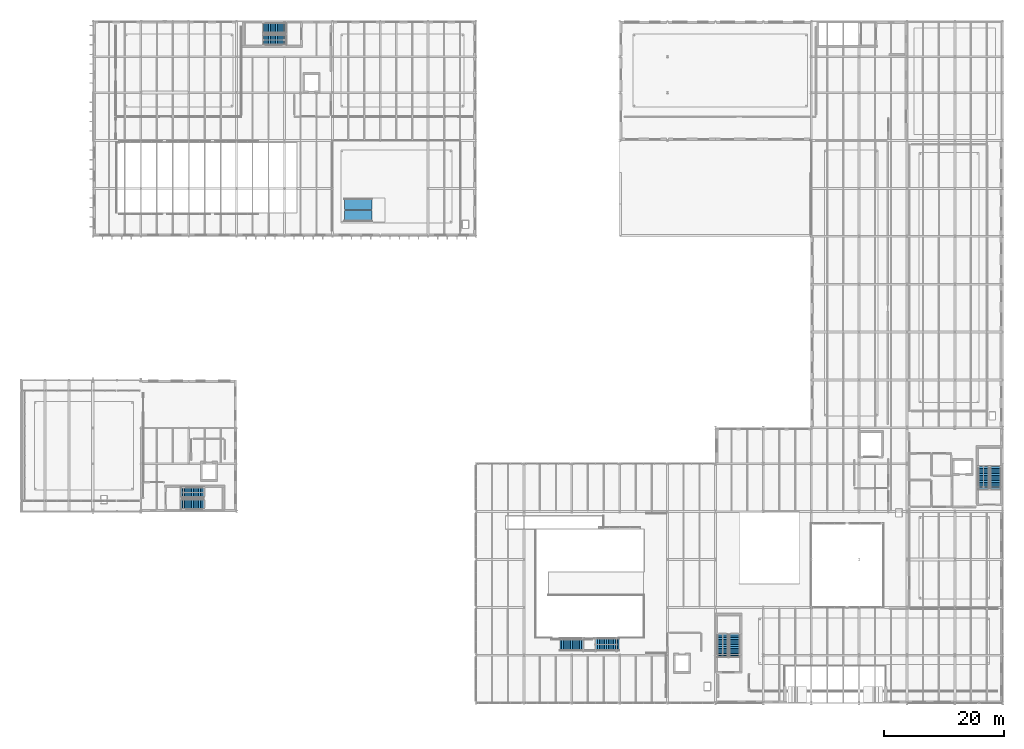
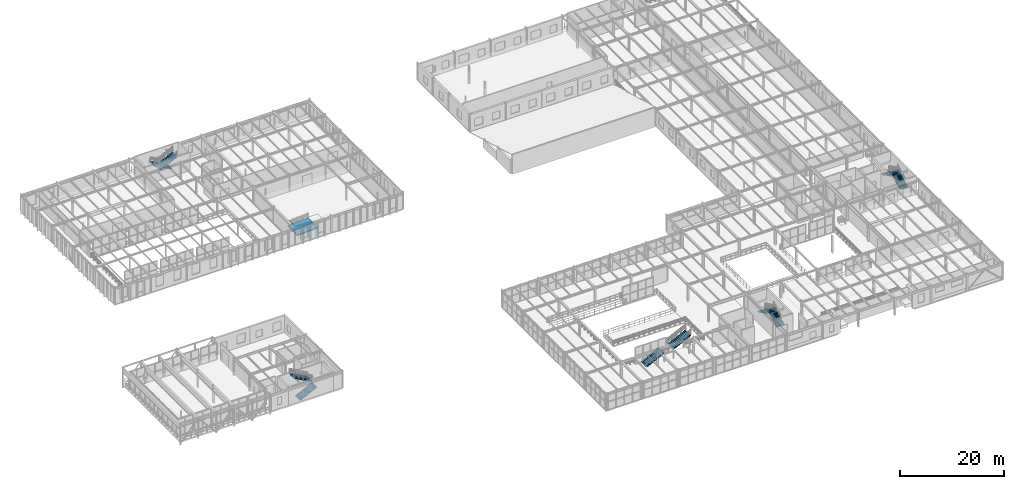
# One storey, part 90 of 124: 10 stair flights, 2 ramp flights, 6 elements without a shape of their own.
"""IFC4 building model written with IfcOpenShell, lengths in metres."""

from ifc_helpers import new_model, si_unit, direction, frame, origin, place, context, subcontext, project, spatial, polyline, outline, extrude, material, layer, layer_set, type_object, element, aggregate, save


model = new_model("IFC4")

# Units and contexts
model_context = context("Model", 3, precision=1e-05, world=origin(), true_north=direction((0.0, 1.0)))
body_context = subcontext(model_context, "Body", "Model", "MODEL_VIEW")
ifc_project = project(units=[si_unit("LENGTHUNIT", "METRE"), si_unit("AREAUNIT", "SQUARE_METRE"), si_unit("VOLUMEUNIT", "CUBIC_METRE"), si_unit("PLANEANGLEUNIT", "RADIAN"), si_unit("MASSUNIT", "GRAM", prefix="KILO")], contexts=[model_context])

# Site, building, storey
site_placement = place(None, origin())
site = spatial("IfcSite", under=ifc_project, at=site_placement, CompositionType="ELEMENT")
building_placement = place(site_placement, origin())
building = spatial("IfcBuilding", under=site, at=building_placement, Name="Sundkrona Museum", CompositionType="ELEMENT")
storey_placement = place(building_placement, frame((0.0, 0.0, 17.60009765625)))
storey = spatial("IfcBuildingStorey", under=building, at=storey_placement, Name="L03", CompositionType="ELEMENT", Elevation=17.60009765625)

# Stair, stair flights
ifc_material_1 = material(Name="Concrete C35/45", Category="concrete")
stair_type_1 = type_object("IfcStairType", Name="ST-DL-420", PredefinedType="HALF_TURN_STAIR", material=ifc_material_1)
stair_1_placement = place(storey_placement, origin())
stair_1 = element("IfcStair", 1, at=stair_1_placement, inside=storey, type_object=stair_type_1, Name="L03 Protected Stair Core ST-1", PredefinedType="HALF_TURN_STAIR")
stair_flight_type_1 = type_object("IfcStairFlightType", Name="SF-180-210", PredefinedType="STRAIGHT", material=ifc_material_1)
stair_flight_1_placement = place(storey_placement, frame((166.800048828125, 35.699951171875, 0.0), z_axis=(0.0, 0.0, 1.0), x_axis=(0.0, 1.0, 0.0)))
stair_flight_1 = element("IfcStairFlight", 2, at=stair_flight_1_placement, type_object=stair_flight_type_1, Name="L03 Protected Stair Core ST-1 Flight 1", NumberOfRisers=14, NumberOfTreads=13, PredefinedType="STRAIGHT", RiserHeight=0.15, TreadLength=0.295, context=body_context, shape_type="SweptSolid", body=[
    extrude(outline(polyline([(0.0, 0.0), (0.0, 0.14990234375), (0.294921875, 0.14990234375), (0.294921875, 0.300048828125), (0.590087890625, 0.300048828125), (0.590087890625, 0.449951171875), (0.885009765625, 0.449951171875), (0.885009765625, 0.60009765625), (1.179931640625, 0.60009765625), (1.179931640625, 0.75), (1.47509765625, 0.75), (1.47509765625, 0.89990234375), (1.77001953125, 0.89990234375), (1.77001953125, 1.050048828125), (2.06494140625, 1.050048828125), (2.06494140625, 1.199951171875), (2.360107421875, 1.199951171875), (2.360107421875, 1.35009765625), (2.655029296875, 1.35009765625), (2.655029296875, 1.5), (2.949951171875, 1.5), (2.949951171875, 1.64990234375), (3.2451171875, 1.64990234375), (3.2451171875, 1.800048828125), (3.5400390625, 1.800048828125), (3.5400390625, 1.949951171875), (3.8349609375, 1.949951171875), (3.8349609375, 2.10009765625), (3.8349609375, 1.7705078125), (0.352783203125, 0.0), (0.0, 0.0)])), frame((0.0, 0.89990234375, 0.0), z_axis=(0.0, -1.0, 0.0), x_axis=(1.0, 0.0, 0.0)), (0.0, 0.0, 1.0), 1.800048828125),
])
stair_flight_2_placement = place(storey_placement, frame((164.800048828125, 39.534912109375, 2.099853515625), z_axis=(0.0, 0.0, 1.0), x_axis=(0.0, -1.0, 0.0)))
stair_flight_2 = element("IfcStairFlight", 3, at=stair_flight_2_placement, type_object=stair_flight_type_1, Name="L03 Protected Stair Core ST-1 Flight 2", NumberOfRisers=14, NumberOfTreads=13, PredefinedType="STRAIGHT", RiserHeight=0.15, TreadLength=0.295, context=body_context, shape_type="SweptSolid", body=[
    extrude(outline(polyline([(0.0, 0.0), (0.0, 0.14990234375), (0.294921875, 0.14990234375), (0.294921875, 0.300048828125), (0.590087890625, 0.300048828125), (0.590087890625, 0.449951171875), (0.885009765625, 0.449951171875), (0.885009765625, 0.60009765625), (1.179931640625, 0.60009765625), (1.179931640625, 0.75), (1.47509765625, 0.75), (1.47509765625, 0.89990234375), (1.77001953125, 0.89990234375), (1.77001953125, 1.050048828125), (2.06494140625, 1.050048828125), (2.06494140625, 1.199951171875), (2.360107421875, 1.199951171875), (2.360107421875, 1.35009765625), (2.655029296875, 1.35009765625), (2.655029296875, 1.5), (2.949951171875, 1.5), (2.949951171875, 1.64990234375), (3.2451171875, 1.64990234375), (3.2451171875, 1.800048828125), (3.5400390625, 1.800048828125), (3.5400390625, 1.949951171875), (3.8349609375, 1.949951171875), (3.8349609375, 2.10009765625), (3.8349609375, 1.7705078125), (0.352783203125, 0.0), (0.0, 0.0)])), frame((0.0, 0.89990234375, 0.0), z_axis=(0.0, -1.0, 0.0), x_axis=(1.0, 0.0, 0.0)), (0.0, 0.0, 1.0), 1.800048828125),
])
aggregate(stair_1, [stair_flight_1, stair_flight_2])

stair_2_placement = place(storey_placement, origin())
stair_2 = element("IfcStair", 4, at=stair_2_placement, inside=storey, type_object=stair_type_1, Name="L03 Protected Stair Core ST-2", PredefinedType="HALF_TURN_STAIR")
stair_flight_3_placement = place(storey_placement, frame((123.199951171875, 7.699951171875, 0.0), z_axis=(0.0, 0.0, 1.0), x_axis=(0.0, 1.0, 0.0)))
stair_flight_3 = element("IfcStairFlight", 5, at=stair_flight_3_placement, type_object=stair_flight_type_1, Name="L03 Protected Stair Core ST-2 Flight 1", NumberOfRisers=14, NumberOfTreads=13, PredefinedType="STRAIGHT", RiserHeight=0.15, TreadLength=0.295, context=body_context, shape_type="SweptSolid", body=[
    extrude(outline(polyline([(0.0, 0.0), (0.0, 0.14990234375), (0.294921875, 0.14990234375), (0.294921875, 0.300048828125), (0.590087890625, 0.300048828125), (0.590087890625, 0.449951171875), (0.885009765625, 0.449951171875), (0.885009765625, 0.60009765625), (1.179931640625, 0.60009765625), (1.179931640625, 0.75), (1.47509765625, 0.75), (1.47509765625, 0.89990234375), (1.77001953125, 0.89990234375), (1.77001953125, 1.050048828125), (2.06494140625, 1.050048828125), (2.06494140625, 1.199951171875), (2.360107421875, 1.199951171875), (2.360107421875, 1.35009765625), (2.655029296875, 1.35009765625), (2.655029296875, 1.5), (2.949951171875, 1.5), (2.949951171875, 1.64990234375), (3.2451171875, 1.64990234375), (3.2451171875, 1.800048828125), (3.5400390625, 1.800048828125), (3.5400390625, 1.949951171875), (3.8349609375, 1.949951171875), (3.8349609375, 2.10009765625), (3.8349609375, 1.7705078125), (0.352783203125, 0.0), (0.0, 0.0)])), frame((0.0, 0.89990234375, 0.0), z_axis=(0.0, -1.0, 0.0), x_axis=(1.0, 0.0, 0.0)), (0.0, 0.0, 1.0), 1.800048828125),
])
stair_flight_4_placement = place(storey_placement, frame((121.199951171875, 11.534912109375, 2.099853515625), z_axis=(0.0, 0.0, 1.0), x_axis=(0.0, -1.0, 0.0)))
stair_flight_4 = element("IfcStairFlight", 6, at=stair_flight_4_placement, type_object=stair_flight_type_1, Name="L03 Protected Stair Core ST-2 Flight 2", NumberOfRisers=14, NumberOfTreads=13, PredefinedType="STRAIGHT", RiserHeight=0.15, TreadLength=0.295, context=body_context, shape_type="SweptSolid", body=[
    extrude(outline(polyline([(0.0, 0.0), (0.0, 0.14990234375), (0.294921875, 0.14990234375), (0.294921875, 0.300048828125), (0.590087890625, 0.300048828125), (0.590087890625, 0.449951171875), (0.885009765625, 0.449951171875), (0.885009765625, 0.60009765625), (1.179931640625, 0.60009765625), (1.179931640625, 0.75), (1.47509765625, 0.75), (1.47509765625, 0.89990234375), (1.77001953125, 0.89990234375), (1.77001953125, 1.050048828125), (2.06494140625, 1.050048828125), (2.06494140625, 1.199951171875), (2.360107421875, 1.199951171875), (2.360107421875, 1.35009765625), (2.655029296875, 1.35009765625), (2.655029296875, 1.5), (2.949951171875, 1.5), (2.949951171875, 1.64990234375), (3.2451171875, 1.64990234375), (3.2451171875, 1.800048828125), (3.5400390625, 1.800048828125), (3.5400390625, 1.949951171875), (3.8349609375, 1.949951171875), (3.8349609375, 2.10009765625), (3.8349609375, 1.7705078125), (0.352783203125, 0.0), (0.0, 0.0)])), frame((0.0, 0.89990234375, 0.0), z_axis=(0.0, -1.0, 0.0), x_axis=(1.0, 0.0, 0.0)), (0.0, 0.0, 1.0), 1.800048828125),
])
aggregate(stair_2, [stair_flight_3, stair_flight_4])

stair_3_placement = place(storey_placement, origin())
stair_3 = element("IfcStair", 7, at=stair_3_placement, inside=storey, type_object=stair_type_1, Name="L03 Protected Stair Core ST-3", PredefinedType="HALF_TURN_STAIR")
stair_flight_5_placement = place(storey_placement, frame((48.300048828125, 112.800048828125, 0.0), z_axis=(0.0, 0.0, 1.0), x_axis=(-1.0, 0.0, 0.0)))
stair_flight_5 = element("IfcStairFlight", 8, at=stair_flight_5_placement, type_object=stair_flight_type_1, Name="L03 Protected Stair Core ST-3 Flight 1", NumberOfRisers=14, NumberOfTreads=13, PredefinedType="STRAIGHT", RiserHeight=0.15, TreadLength=0.295, context=body_context, shape_type="SweptSolid", body=[
    extrude(outline(polyline([(0.0, 0.0), (0.0, 0.14990234375), (0.294921875, 0.14990234375), (0.294921875, 0.300048828125), (0.590087890625, 0.300048828125), (0.590087890625, 0.449951171875), (0.885009765625, 0.449951171875), (0.885009765625, 0.60009765625), (1.179931640625, 0.60009765625), (1.179931640625, 0.75), (1.47509765625, 0.75), (1.47509765625, 0.89990234375), (1.77001953125, 0.89990234375), (1.77001953125, 1.050048828125), (2.06494140625, 1.050048828125), (2.06494140625, 1.199951171875), (2.360107421875, 1.199951171875), (2.360107421875, 1.35009765625), (2.655029296875, 1.35009765625), (2.655029296875, 1.5), (2.949951171875, 1.5), (2.949951171875, 1.64990234375), (3.2451171875, 1.64990234375), (3.2451171875, 1.800048828125), (3.5400390625, 1.800048828125), (3.5400390625, 1.949951171875), (3.8349609375, 1.949951171875), (3.8349609375, 2.10009765625), (3.8349609375, 1.7705078125), (0.352783203125, 0.0), (0.0, 0.0)])), frame((0.0, 0.89990234375, 0.0), z_axis=(0.0, -1.0, 0.0), x_axis=(1.0, 0.0, 0.0)), (0.0, 0.0, 1.0), 1.800048828125),
])
stair_flight_6_placement = place(storey_placement, frame((44.465087890625, 110.800048828125, 2.099853515625), z_axis=(0.0, 0.0, 1.0), x_axis=(1.0, 0.0, 0.0)))
stair_flight_6 = element("IfcStairFlight", 9, at=stair_flight_6_placement, type_object=stair_flight_type_1, Name="L03 Protected Stair Core ST-3 Flight 2", NumberOfRisers=14, NumberOfTreads=13, PredefinedType="STRAIGHT", RiserHeight=0.15, TreadLength=0.295, context=body_context, shape_type="SweptSolid", body=[
    extrude(outline(polyline([(0.0, 0.0), (0.0, 0.14990234375), (0.294921875, 0.14990234375), (0.294921875, 0.300048828125), (0.590087890625, 0.300048828125), (0.590087890625, 0.449951171875), (0.885009765625, 0.449951171875), (0.885009765625, 0.60009765625), (1.179931640625, 0.60009765625), (1.179931640625, 0.75), (1.47509765625, 0.75), (1.47509765625, 0.89990234375), (1.77001953125, 0.89990234375), (1.77001953125, 1.050048828125), (2.06494140625, 1.050048828125), (2.06494140625, 1.199951171875), (2.360107421875, 1.199951171875), (2.360107421875, 1.35009765625), (2.655029296875, 1.35009765625), (2.655029296875, 1.5), (2.949951171875, 1.5), (2.949951171875, 1.64990234375), (3.2451171875, 1.64990234375), (3.2451171875, 1.800048828125), (3.5400390625, 1.800048828125), (3.5400390625, 1.949951171875), (3.8349609375, 1.949951171875), (3.8349609375, 2.10009765625), (3.8349609375, 1.7705078125), (0.352783203125, 0.0), (0.0, 0.0)])), frame((0.0, 0.89990234375, 0.0), z_axis=(0.0, -1.0, 0.0), x_axis=(1.0, 0.0, 0.0)), (0.0, 0.0, 1.0), 1.800048828125),
])
aggregate(stair_3, [stair_flight_5, stair_flight_6])

stair_4_placement = place(storey_placement, origin())
stair_4 = element("IfcStair", 10, at=stair_4_placement, inside=storey, type_object=stair_type_1, Name="L03 Protected Stair Core ST-4", PredefinedType="HALF_TURN_STAIR")
stair_flight_7_placement = place(storey_placement, frame((30.699951171875, 33.199951171875, 0.0), z_axis=(0.0, 0.0, 1.0), x_axis=(1.0, 0.0, 0.0)))
stair_flight_7 = element("IfcStairFlight", 11, at=stair_flight_7_placement, type_object=stair_flight_type_1, Name="L03 Protected Stair Core ST-4 Flight 1", NumberOfRisers=14, NumberOfTreads=13, PredefinedType="STRAIGHT", RiserHeight=0.15, TreadLength=0.295, context=body_context, shape_type="SweptSolid", body=[
    extrude(outline(polyline([(0.0, 0.0), (0.0, 0.14990234375), (0.294921875, 0.14990234375), (0.294921875, 0.300048828125), (0.590087890625, 0.300048828125), (0.590087890625, 0.449951171875), (0.885009765625, 0.449951171875), (0.885009765625, 0.60009765625), (1.179931640625, 0.60009765625), (1.179931640625, 0.75), (1.47509765625, 0.75), (1.47509765625, 0.89990234375), (1.77001953125, 0.89990234375), (1.77001953125, 1.050048828125), (2.06494140625, 1.050048828125), (2.06494140625, 1.199951171875), (2.360107421875, 1.199951171875), (2.360107421875, 1.35009765625), (2.655029296875, 1.35009765625), (2.655029296875, 1.5), (2.949951171875, 1.5), (2.949951171875, 1.64990234375), (3.2451171875, 1.64990234375), (3.2451171875, 1.800048828125), (3.5400390625, 1.800048828125), (3.5400390625, 1.949951171875), (3.8349609375, 1.949951171875), (3.8349609375, 2.10009765625), (3.8349609375, 1.7705078125), (0.352783203125, 0.0), (0.0, 0.0)])), frame((0.0, 0.89990234375, 0.0), z_axis=(0.0, -1.0, 0.0), x_axis=(1.0, 0.0, 0.0)), (0.0, 0.0, 1.0), 1.800048828125),
])
stair_flight_8_placement = place(storey_placement, frame((34.534912109375, 35.199951171875, 2.099853515625), z_axis=(0.0, 0.0, 1.0), x_axis=(-1.0, 0.0, 0.0)))
stair_flight_8 = element("IfcStairFlight", 12, at=stair_flight_8_placement, type_object=stair_flight_type_1, Name="L03 Protected Stair Core ST-4 Flight 2", NumberOfRisers=14, NumberOfTreads=13, PredefinedType="STRAIGHT", RiserHeight=0.15, TreadLength=0.295, context=body_context, shape_type="SweptSolid", body=[
    extrude(outline(polyline([(0.0, 0.0), (0.0, 0.14990234375), (0.294921875, 0.14990234375), (0.294921875, 0.300048828125), (0.590087890625, 0.300048828125), (0.590087890625, 0.449951171875), (0.885009765625, 0.449951171875), (0.885009765625, 0.60009765625), (1.179931640625, 0.60009765625), (1.179931640625, 0.75), (1.47509765625, 0.75), (1.47509765625, 0.89990234375), (1.77001953125, 0.89990234375), (1.77001953125, 1.050048828125), (2.06494140625, 1.050048828125), (2.06494140625, 1.199951171875), (2.360107421875, 1.199951171875), (2.360107421875, 1.35009765625), (2.655029296875, 1.35009765625), (2.655029296875, 1.5), (2.949951171875, 1.5), (2.949951171875, 1.64990234375), (3.2451171875, 1.64990234375), (3.2451171875, 1.800048828125), (3.5400390625, 1.800048828125), (3.5400390625, 1.949951171875), (3.8349609375, 1.949951171875), (3.8349609375, 2.10009765625), (3.8349609375, 1.7705078125), (0.352783203125, 0.0), (0.0, 0.0)])), frame((0.0, 0.89990234375, 0.0), z_axis=(0.0, -1.0, 0.0), x_axis=(1.0, 0.0, 0.0)), (0.0, 0.0, 1.0), 1.800048828125),
])
aggregate(stair_4, [stair_flight_7, stair_flight_8])

ifc_material_2 = material(Name="Steel S355J2 and Terrazzo Treads", Category="steel")
stair_type_2 = type_object("IfcStairType", Name="ST-FS-420", PredefinedType="STRAIGHT_RUN_STAIR", material=ifc_material_2)
stair_5_placement = place(storey_placement, origin())
stair_5 = element("IfcStair", 13, at=stair_5_placement, inside=storey, type_object=stair_type_2, Name="L03 Feature Stair FS-4", PredefinedType="STRAIGHT_RUN_STAIR")
ifc_material_3 = material(Name="Steel S355J2 and Terrazzo", Category="steel")
stair_flight_type_2 = type_object("IfcStairFlightType", Name="SF-210-FS", PredefinedType="STRAIGHT", material=ifc_material_3)
stair_flight_9_placement = place(storey_placement, frame((94.0, 9.800048828125, 0.0), z_axis=(0.0, 0.0, 1.0), x_axis=(1.0, 0.0, 0.0)))
stair_flight_9 = element("IfcStairFlight", 14, at=stair_flight_9_placement, type_object=stair_flight_type_2, Name="L03 Feature Stair FS-4 Flight 1", NumberOfRisers=14, NumberOfTreads=13, PredefinedType="STRAIGHT", RiserHeight=0.15, TreadLength=0.3, context=body_context, shape_type="SweptSolid", body=[
    extrude(outline(polyline([(0.0, 0.0), (0.0, 0.14990234375), (0.300048828125, 0.14990234375), (0.300048828125, 0.300048828125), (0.60009765625, 0.300048828125), (0.60009765625, 0.449951171875), (0.89990234375, 0.449951171875), (0.89990234375, 0.60009765625), (1.199951171875, 0.60009765625), (1.199951171875, 0.75), (1.5, 0.75), (1.5, 0.89990234375), (1.800048828125, 0.89990234375), (1.800048828125, 1.050048828125), (2.10009765625, 1.050048828125), (2.10009765625, 1.199951171875), (2.39990234375, 1.199951171875), (2.39990234375, 1.35009765625), (2.699951171875, 1.35009765625), (2.699951171875, 1.5), (3.0, 1.5), (3.0, 1.64990234375), (3.300048828125, 1.64990234375), (3.300048828125, 1.800048828125), (3.60009765625, 1.800048828125), (3.60009765625, 1.949951171875), (3.89990234375, 1.949951171875), (3.89990234375, 2.10009765625), (3.89990234375, 1.748779296875), (0.40234375, 0.0), (0.0, 0.0)])), frame((0.0, 1.050048828125, 0.0), z_axis=(0.0, -1.0, 0.0), x_axis=(1.0, 0.0, 0.0)), (0.0, 0.0, 1.0), 2.10009765625),
])
stair_flight_10_placement = place(storey_placement, frame((100.0, 9.800048828125, 2.099853515625), z_axis=(0.0, 0.0, 1.0), x_axis=(1.0, 0.0, 0.0)))
stair_flight_10 = element("IfcStairFlight", 15, at=stair_flight_10_placement, type_object=stair_flight_type_2, Name="L03 Feature Stair FS-4 Flight 2", NumberOfRisers=14, NumberOfTreads=13, PredefinedType="STRAIGHT", RiserHeight=0.15, TreadLength=0.3, context=body_context, shape_type="SweptSolid", body=[
    extrude(outline(polyline([(0.0, 0.0), (0.0, 0.14990234375), (0.300048828125, 0.14990234375), (0.300048828125, 0.300048828125), (0.60009765625, 0.300048828125), (0.60009765625, 0.449951171875), (0.89990234375, 0.449951171875), (0.89990234375, 0.60009765625), (1.199951171875, 0.60009765625), (1.199951171875, 0.75), (1.5, 0.75), (1.5, 0.89990234375), (1.800048828125, 0.89990234375), (1.800048828125, 1.050048828125), (2.10009765625, 1.050048828125), (2.10009765625, 1.199951171875), (2.39990234375, 1.199951171875), (2.39990234375, 1.35009765625), (2.699951171875, 1.35009765625), (2.699951171875, 1.5), (3.0, 1.5), (3.0, 1.64990234375), (3.300048828125, 1.64990234375), (3.300048828125, 1.800048828125), (3.60009765625, 1.800048828125), (3.60009765625, 1.949951171875), (3.89990234375, 1.949951171875), (3.89990234375, 2.10009765625), (3.89990234375, 1.748779296875), (0.40234375, 0.0), (0.0, 0.0)])), frame((0.0, 1.050048828125, 0.0), z_axis=(0.0, -1.0, 0.0), x_axis=(1.0, 0.0, 0.0)), (0.0, 0.0, 1.0), 2.10009765625),
])
aggregate(stair_5, [stair_flight_9, stair_flight_10])

# Ramp, ramp flights
ramp_type = type_object("IfcRampType", Name="RMP-ACC-180", PredefinedType="HALF_TURN_RAMP", material=ifc_material_1)
ramp_placement = place(storey_placement, origin())
ramp = element("IfcRamp", 16, at=ramp_placement, inside=storey, type_object=ramp_type, Name="L03 Accessible Gallery Dais Ramp RMP-06", PredefinedType="HALF_TURN_RAMP")
ifc_layer = layer(ifc_material_1, 0.199951171875)
ifc_layer_set = layer_set([ifc_layer], Name="Concrete C35/45")
ramp_flight_type = type_object("IfcRampFlightType", Name="RMF-ACC-180", PredefinedType="STRAIGHT", material=ifc_layer_set)
ramp_flight_1_placement = place(storey_placement, frame((58.0, 81.39990234375, 0.014892578125), z_axis=(0.0, 0.0, 1.0), x_axis=(1.0, 0.0, 0.0)))
ramp_flight_1 = element("IfcRampFlight", 17, at=ramp_flight_1_placement, type_object=ramp_flight_type, Name="RMP-06 Up Flight", PredefinedType="STRAIGHT", context=body_context, shape_type="SweptSolid", body=[
    extrude(outline(polyline([(0.0, -0.199951171875), (4.60009765625, 0.06494140625), (4.60009765625, 0.264892578125), (0.0, 0.0), (0.0, -0.199951171875)])), frame((0.0, 0.89990234375, 0.0), z_axis=(0.0, -1.0, 0.0), x_axis=(1.0, 0.0, 0.0)), (0.0, 0.0, 1.0), 1.800048828125),
])
ramp_flight_2_placement = place(storey_placement, frame((62.60009765625, 83.39990234375, 0.27978515625), z_axis=(0.0, 0.0, 1.0), x_axis=(-1.0, 0.0, 0.0)))
ramp_flight_2 = element("IfcRampFlight", 18, at=ramp_flight_2_placement, type_object=ramp_flight_type, Name="RMP-06 Return Flight", PredefinedType="STRAIGHT", context=body_context, shape_type="SweptSolid", body=[
    extrude(outline(polyline([(0.0, -0.199951171875), (4.60009765625, -0.46484375), (4.60009765625, -0.264892578125), (0.0, 0.0), (0.0, -0.199951171875)])), frame((0.0, 0.89990234375, 0.0), z_axis=(0.0, -1.0, 0.0), x_axis=(1.0, 0.0, 0.0)), (0.0, 0.0, 1.0), 1.800048828125),
])
aggregate(ramp, [ramp_flight_1, ramp_flight_2])

save(model, "model.ifc")
